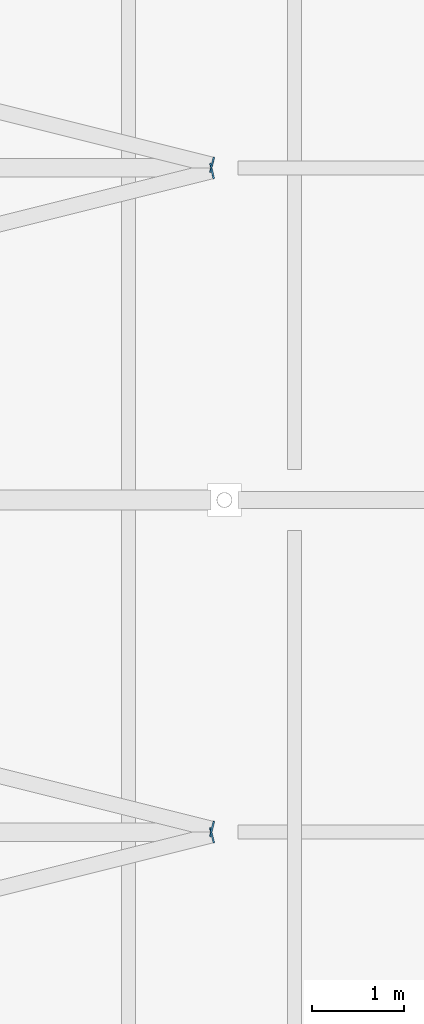
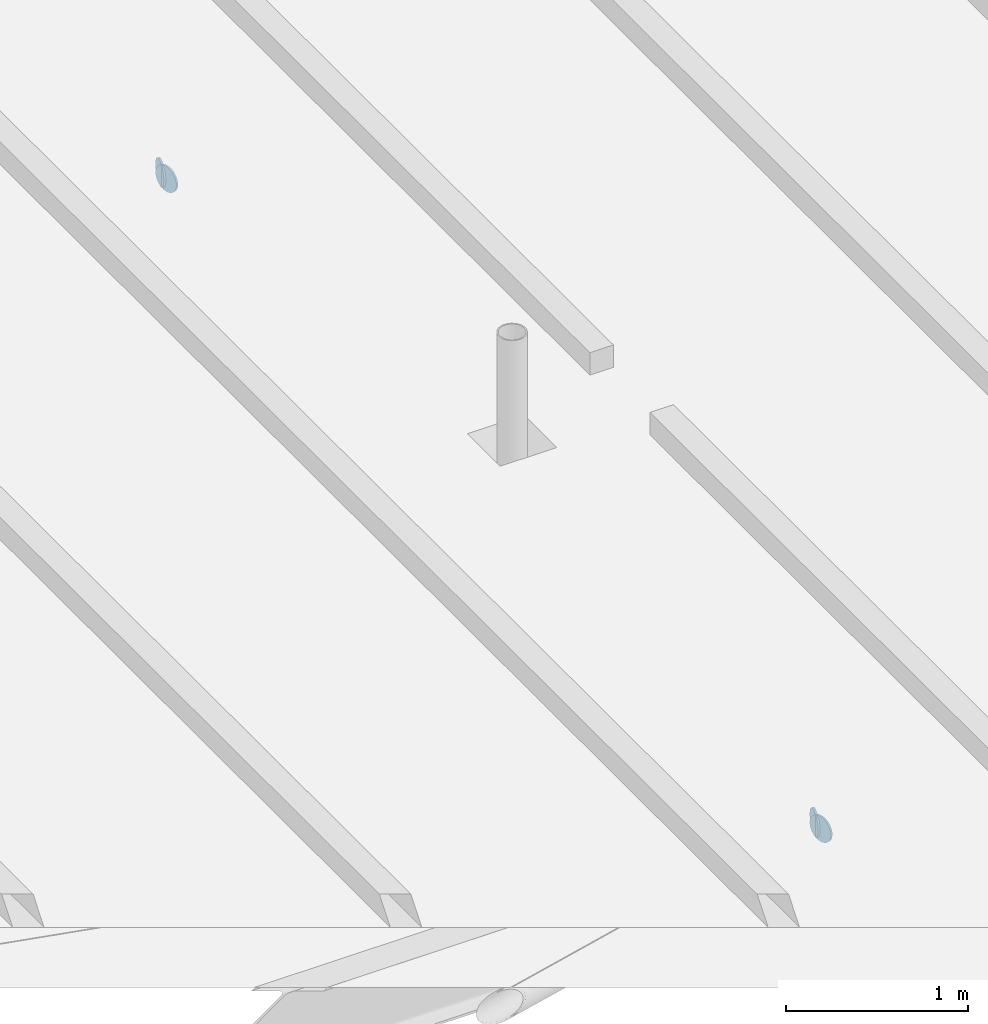
# One storey, part 107 of 120: 4 discrete accessories.
"""IFC4 building model written with IfcOpenShell, lengths in metres."""

from ifc_helpers import new_model, si_unit, direction, frame, origin, origin_2d, place, context, subcontext, project, spatial, circle, extrude, material, layer, layer_set, type_object, element, save


model = new_model("IFC4")

# Units and contexts
model_context = context("Model", 3, precision=1e-05, world=origin(), true_north=direction((0.0, 1.0)))
body_context = subcontext(model_context, "Body", "Model", "MODEL_VIEW")
ifc_project = project(units=[si_unit("LENGTHUNIT", "METRE"), si_unit("AREAUNIT", "SQUARE_METRE"), si_unit("VOLUMEUNIT", "CUBIC_METRE"), si_unit("PLANEANGLEUNIT", "RADIAN"), si_unit("MASSUNIT", "GRAM", prefix="KILO")], contexts=[model_context])

# Site, building, storey
site_placement = place(None, origin())
site = spatial("IfcSite", under=ifc_project, at=site_placement, CompositionType="ELEMENT")
building_placement = place(site_placement, origin())
building = spatial("IfcBuilding", under=site, at=building_placement, Name="Kupolbacken Congress Centre", CompositionType="ELEMENT")
storey_placement = place(building_placement, frame((0.0, 0.0, 21.60009765625)))
storey = spatial("IfcBuildingStorey", under=building, at=storey_placement, Name="L06", CompositionType="ELEMENT", Elevation=21.60009765625)

# Discrete accessories
ifc_material = material(Name="Steel S355", Category="steel")
ifc_layer = layer(ifc_material, 0.011962890625)
ifc_layer_set = layer_set([ifc_layer], Name="Steel S355")
discrete_accessory_type = type_object("IfcDiscreteAccessoryType", Name="EC2 tube end cap plate 168 dia x 12", PredefinedType="BRACKET", material=ifc_layer_set)
for number, where, z_axis, x_axis, name in (
    (1, (194.25927734375, 93.564697265625, -0.084228515625), (0.970142500145, 0.242535625036, 0.0), (-0.242535625036, 0.970142500145, 0.0), "End cap plate HR/RB/07-13 B"),
    (2, (194.25927734375, 93.63525390625, -0.084228515625), (0.970142500145, -0.242535625036, 0.0), (0.242535625036, 0.970142500145, 0.0), "End cap plate HR/RB/07-14 A"),
    (3, (194.25927734375, 100.764892578125, -0.084228515625), (0.974732318528, 0.223376156329, 0.0), (-0.223376156329, 0.974732318528, 0.0), "End cap plate HR/RB/07-15 B"),
    (4, (194.25927734375, 100.835205078125, -0.084228515625), (0.970142500145, -0.242535625036, 0.0), (0.242535625036, 0.970142500145, 0.0), "End cap plate HR/RB/07-16 A"),
):
    element("IfcDiscreteAccessory", number, at=place(storey_placement, frame(where, z_axis=z_axis, x_axis=x_axis)), inside=storey, type_object=discrete_accessory_type, Name=name, PredefinedType="BRACKET", context=body_context, shape_type="SweptSolid", body=[
        extrude(circle(Radius=0.084228515625, at=origin_2d()), origin(), (0.0, 0.0, 1.0), 0.011962890625),
    ])

save(model, "model.ifc")
